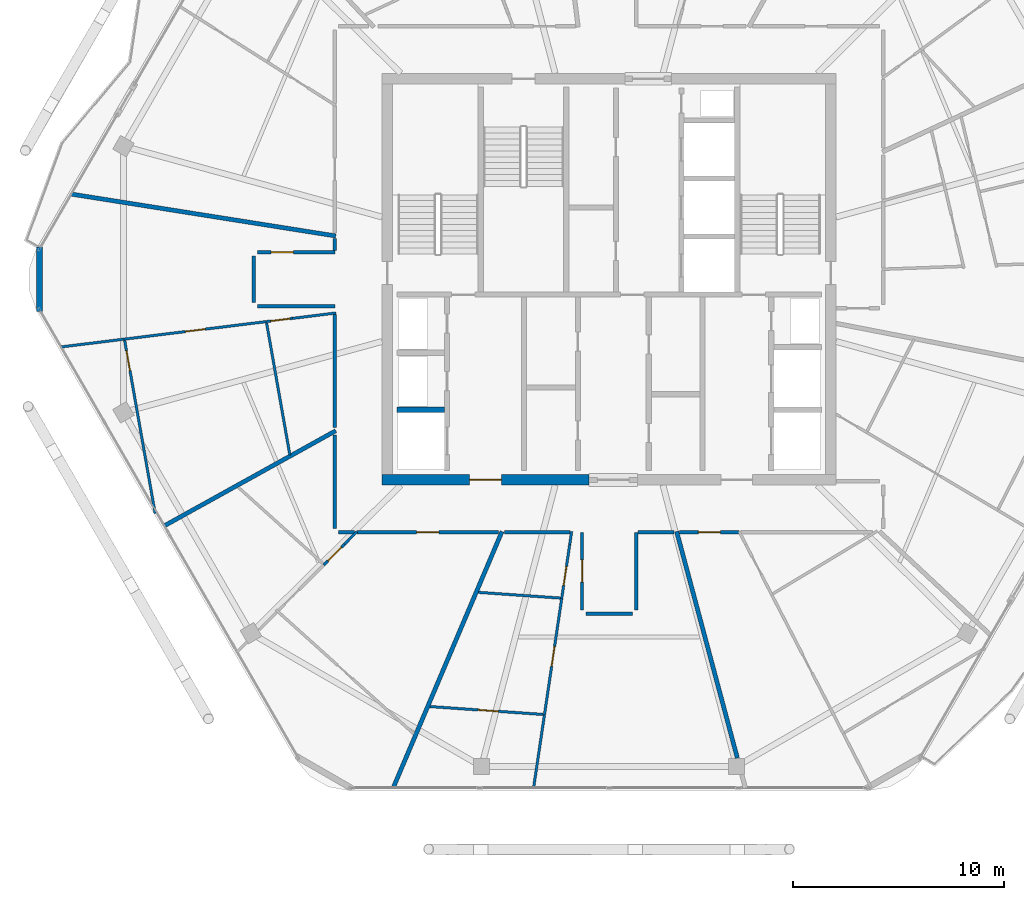
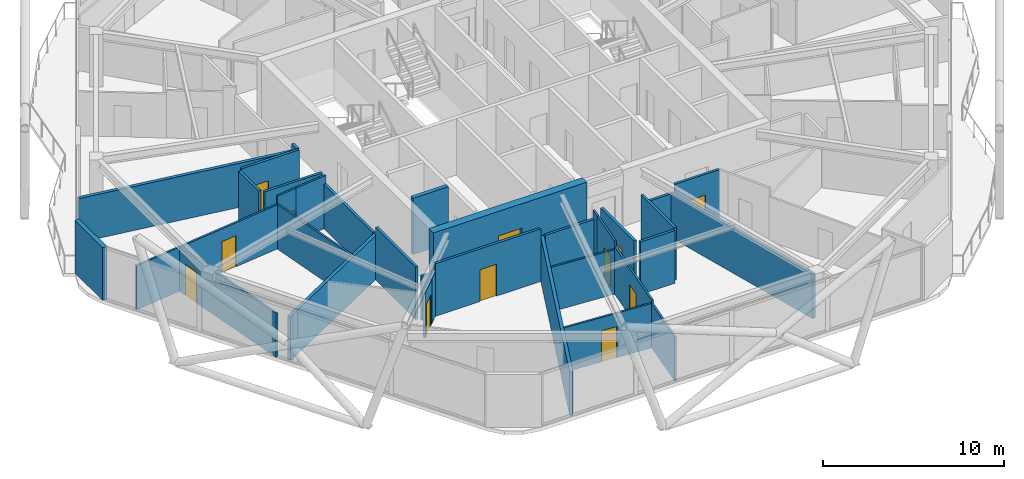
# One storey, part 17 of 24: 35 walls, 12 doors, 12 openings.
"""IFC4 building model written with IfcOpenShell, lengths in metres."""

from ifc_helpers import new_model, si_unit, direction, frame, frame_2d, origin, place, context, subcontext, project, spatial, rectangle, extrude, material, layer, layer_set, type_object, element, fill, save


model = new_model("IFC4")

# Units and contexts
model_context = context("Model", 3, precision=1e-05, world=origin(), true_north=direction((0.0, 1.0)))
body_context = subcontext(model_context, "Body", "Model", "MODEL_VIEW")
ifc_project = project(units=[si_unit("LENGTHUNIT", "METRE"), si_unit("AREAUNIT", "SQUARE_METRE"), si_unit("VOLUMEUNIT", "CUBIC_METRE"), si_unit("PLANEANGLEUNIT", "RADIAN"), si_unit("MASSUNIT", "GRAM", prefix="KILO")], contexts=[model_context])

# Site, building, storey
site_placement = place(None, origin())
site = spatial("IfcSite", under=ifc_project, at=site_placement, CompositionType="ELEMENT")
building_placement = place(site_placement, origin())
building = spatial("IfcBuilding", under=site, at=building_placement, Name="Zuhravey Tower", CompositionType="ELEMENT")
storey_placement = place(building_placement, frame((0.0, 0.0, 338.60009765625)))
storey = spatial("IfcBuildingStorey", under=building, at=storey_placement, Name="L86", CompositionType="ELEMENT", Elevation=338.60009765625)

# Wall, opening, door
ifc_material_1 = material(Name="Concrete C50/60", Category="concrete")
ifc_layer_1 = layer(ifc_material_1, 0.5)
ifc_layer_set_1 = layer_set([ifc_layer_1], Name="Concrete C50/60")
wall_type_1 = type_object("IfcWallType", Name="Core Shear Wall 500", PredefinedType="SHEAR", material=ifc_layer_set_1)
wall_1_placement = place(storey_placement, frame((25.25, 22.5, 0.0), z_axis=(0.0, 0.0, 1.0), x_axis=(1.0, 0.0, 0.0)))
wall_1 = element("IfcWall", 1, at=wall_1_placement, inside=storey, type_object=wall_type_1, Name="L86 South-West Core Shear Wall CW50", PredefinedType="SHEAR", context=body_context, shape_type="SweptSolid", body=[
    extrude(rectangle(XDim=9.800048828125, YDim=0.5, at=frame_2d((4.89990234375, 0.0))), origin(), (0.0, 0.0, 1.0), 3.7998046875),
])
opening_1_placement = place(wall_1_placement, frame((4.14990234375, 0.0, 0.0)))
opening_1 = element("IfcOpeningElement", 2, at=opening_1_placement, cuts=wall_1, Name="Opening FFD1", PredefinedType="OPENING", context=body_context, shape_type="SweptSolid", body=[
    extrude(rectangle(XDim=1.5, YDim=2.14990234375, at=frame_2d((0.75, 1.074951171875))), frame((0.0, 0.261962890625, 0.0), z_axis=(0.0, -1.0, 0.0), x_axis=(1.0, 0.0, 0.0)), (0.0, 0.0, 1.0), 0.52392578125),
])
ifc_material_2 = material(Name="Galvanised fire-rated steel leaf", Category="steel")
door_type_1 = type_object("IfcDoorType", Name="Firefighting Lobby Double Door 1500x2150", OperationType="DOUBLE_DOOR_SINGLE_SWING", PredefinedType="DOOR", material=ifc_material_2)
door_1_placement = place(opening_1_placement, origin())
door_1 = element("IfcDoor", 3, at=door_1_placement, inside=storey, type_object=door_type_1, Name="L86 Firefighting Lobby West Door", OperationType="DOUBLE_DOOR_SINGLE_SWING", OverallHeight=2.14990234375, OverallWidth=1.5, PredefinedType="DOOR", context=body_context, shape_type="SweptSolid", body=[
    extrude(rectangle(XDim=1.5, YDim=2.14990234375, at=frame_2d((0.75, 1.074951171875))), frame((0.0, 0.02490234375, 0.0), z_axis=(0.0, -1.0, 0.0), x_axis=(1.0, 0.0, 0.0)), (0.0, 0.0, 1.0), 0.050048828125),
])
fill(opening_1, door_1)

ifc_material_3 = material(Name="Gypsum fire-rated stud partition")
ifc_layer_2 = layer(ifc_material_3, 0.159912109375)
ifc_layer_set_2 = layer_set([ifc_layer_2], Name="Gypsum fire-rated stud partition")
wall_type_2 = type_object("IfcWallType", Name="Corridor Fire Partition 160", PredefinedType="PARTITIONING", material=ifc_layer_set_2)
wall_2_placement = place(storey_placement, frame((23.02001953125, 33.280029296875, 0.0), z_axis=(0.0, 0.0, 1.0), x_axis=(-1.0, 0.0, 0.0)))
wall_2 = element("IfcWall", 4, at=wall_2_placement, inside=storey, type_object=wall_type_2, Name="L86 IW16 Partition 027", PredefinedType="PARTITIONING", context=body_context, shape_type="SweptSolid", body=[
    extrude(rectangle(XDim=3.669921875, YDim=0.159912109375, at=frame_2d((1.8349609375, 0.0))), origin(), (0.0, 0.0, 1.0), 3.5498046875),
])
opening_2_placement = place(wall_2_placement, frame((1.969970703125, 0.0, 0.0)))
opening_2 = element("IfcOpeningElement", 5, at=opening_2_placement, cuts=wall_2, Name="Opening APD1", PredefinedType="OPENING", context=body_context, shape_type="SweptSolid", body=[
    extrude(rectangle(XDim=1.050048828125, YDim=2.14990234375, at=frame_2d((0.52490234375, 1.074951171875))), frame((0.0, 0.092041015625, 0.0), z_axis=(0.0, -1.0, 0.0), x_axis=(1.0, 0.0, 0.0)), (0.0, 0.0, 1.0), 0.183837890625),
])
ifc_material_4 = material(Name="Solid-core oak fire-rated leaf")
door_type_2 = type_object("IfcDoorType", Name="Apartment Entrance Fire Door 1050x2150", OperationType="NOTDEFINED", PredefinedType="DOOR", material=ifc_material_4)
door_2_placement = place(opening_2_placement, origin())
door_2 = element("IfcDoor", 6, at=door_2_placement, inside=storey, type_object=door_type_2, Name="L86 Door 027.1", OperationType="SINGLE_SWING_LEFT", OverallHeight=2.14990234375, OverallWidth=1.050048828125, PredefinedType="DOOR", context=body_context, shape_type="SweptSolid", body=[
    extrude(rectangle(XDim=1.050048828125, YDim=2.14990234375, at=frame_2d((0.52490234375, 1.074951171875))), frame((0.0, 0.02490234375, 0.0), z_axis=(0.0, -1.0, 0.0), x_axis=(1.0, 0.0, 0.0)), (0.0, 0.0, 1.0), 0.050048828125),
])
fill(opening_2, door_2)

wall_3_placement = place(storey_placement, frame((24.06494140625, 20.02001953125, 0.0), z_axis=(0.0, 0.0, 1.0), x_axis=(1.0, 0.0, 0.0)))
wall_3 = element("IfcWall", 7, at=wall_3_placement, inside=storey, type_object=wall_type_2, Name="L86 IW16 Partition 032", PredefinedType="PARTITIONING", context=body_context, shape_type="SweptSolid", body=[
    extrude(rectangle(XDim=6.7041015625, YDim=0.159912109375, at=frame_2d((3.35205078125, 0.0))), origin(), (0.0, 0.0, 1.0), 3.5498046875),
])
opening_3_placement = place(wall_3_placement, frame((2.8271484375, 0.0, 0.0)))
opening_3 = element("IfcOpeningElement", 8, at=opening_3_placement, cuts=wall_3, Name="Opening APD1", PredefinedType="OPENING", context=body_context, shape_type="SweptSolid", body=[
    extrude(rectangle(XDim=1.050048828125, YDim=2.14990234375, at=frame_2d((0.52490234375, 1.074951171875))), frame((0.0, 0.092041015625, 0.0), z_axis=(0.0, -1.0, 0.0), x_axis=(1.0, 0.0, 0.0)), (0.0, 0.0, 1.0), 0.183837890625),
])
door_3_placement = place(opening_3_placement, frame((1.050048828125, 0.0, 0.0), z_axis=(0.0, 0.0, 1.0), x_axis=(-1.0, 0.0, 0.0)))
door_3 = element("IfcDoor", 9, at=door_3_placement, inside=storey, type_object=door_type_2, Name="L86 Door 032.1", OperationType="SINGLE_SWING_LEFT", OverallHeight=2.14990234375, OverallWidth=1.050048828125, PredefinedType="DOOR", context=body_context, shape_type="SweptSolid", body=[
    extrude(rectangle(XDim=1.050048828125, YDim=2.14990234375, at=frame_2d((0.52490234375, 1.074951171875))), frame((0.0, 0.02490234375, 0.0), z_axis=(0.0, -1.0, 0.0), x_axis=(1.0, 0.0, 0.0)), (0.0, 0.0, 1.0), 0.050048828125),
])
fill(opening_3, door_3)

wall_4_placement = place(storey_placement, frame((34.719970703125, 20.02001953125, 0.0), z_axis=(0.0, 0.0, 1.0), x_axis=(0.0, -1.0, 0.0)))
wall_4 = element("IfcWall", 10, at=wall_4_placement, inside=storey, type_object=wall_type_2, Name="L86 IW16 Partition 036", PredefinedType="PARTITIONING", context=body_context, shape_type="SweptSolid", body=[
    extrude(rectangle(XDim=3.669921875, YDim=0.159912109375, at=frame_2d((1.8349609375, 0.0))), origin(), (0.0, 0.0, 1.0), 3.5498046875),
])
opening_4_placement = place(wall_4_placement, frame((1.31005859375, 0.0, 0.0)))
opening_4 = element("IfcOpeningElement", 11, at=opening_4_placement, cuts=wall_4, Name="Opening APD1", PredefinedType="OPENING", context=body_context, shape_type="SweptSolid", body=[
    extrude(rectangle(XDim=1.050048828125, YDim=2.14990234375, at=frame_2d((0.52490234375, 1.074951171875))), frame((0.0, 0.092041015625, 0.0), z_axis=(0.0, -1.0, 0.0), x_axis=(1.0, 0.0, 0.0)), (0.0, 0.0, 1.0), 0.183837890625),
])
door_4_placement = place(opening_4_placement, origin())
door_4 = element("IfcDoor", 12, at=door_4_placement, inside=storey, type_object=door_type_2, Name="L86 Door 036.1", OperationType="SINGLE_SWING_LEFT", OverallHeight=2.14990234375, OverallWidth=1.050048828125, PredefinedType="DOOR", context=body_context, shape_type="SweptSolid", body=[
    extrude(rectangle(XDim=1.050048828125, YDim=2.14990234375, at=frame_2d((0.52490234375, 1.074951171875))), frame((0.0, 0.02490234375, 0.0), z_axis=(0.0, -1.0, 0.0), x_axis=(1.0, 0.0, 0.0)), (0.0, 0.0, 1.0), 0.050048828125),
])
fill(opening_4, door_4)

wall_5_placement = place(storey_placement, frame((39.343017578125, 20.02001953125, 0.0), z_axis=(0.0, 0.0, 1.0), x_axis=(1.0, 0.0, 0.0)))
wall_5 = element("IfcWall", 13, at=wall_5_placement, inside=storey, type_object=wall_type_2, Name="L86 IW16 Partition 040", PredefinedType="PARTITIONING", context=body_context, shape_type="SweptSolid", body=[
    extrude(rectangle(XDim=2.8125, YDim=0.159912109375, at=frame_2d((1.40625, 0.0))), origin(), (0.0, 0.0, 1.0), 3.5498046875),
])
opening_5_placement = place(wall_5_placement, frame((0.881103515625, 0.0, 0.0)))
opening_5 = element("IfcOpeningElement", 14, at=opening_5_placement, cuts=wall_5, Name="Opening APD1", PredefinedType="OPENING", context=body_context, shape_type="SweptSolid", body=[
    extrude(rectangle(XDim=1.050048828125, YDim=2.14990234375, at=frame_2d((0.52490234375, 1.074951171875))), frame((0.0, 0.092041015625, 0.0), z_axis=(0.0, -1.0, 0.0), x_axis=(1.0, 0.0, 0.0)), (0.0, 0.0, 1.0), 0.183837890625),
])
door_5_placement = place(opening_5_placement, frame((1.050048828125, 0.0, 0.0), z_axis=(0.0, 0.0, 1.0), x_axis=(-1.0, 0.0, 0.0)))
door_5 = element("IfcDoor", 15, at=door_5_placement, inside=storey, type_object=door_type_2, Name="L86 Door 040.1", OperationType="SINGLE_SWING_LEFT", OverallHeight=2.14990234375, OverallWidth=1.050048828125, PredefinedType="DOOR", context=body_context, shape_type="SweptSolid", body=[
    extrude(rectangle(XDim=1.050048828125, YDim=2.14990234375, at=frame_2d((0.52490234375, 1.074951171875))), frame((0.0, 0.02490234375, 0.0), z_axis=(0.0, -1.0, 0.0), x_axis=(1.0, 0.0, 0.0)), (0.0, 0.0, 1.0), 0.050048828125),
])
fill(opening_5, door_5)

# Walls
wall_6_placement = place(storey_placement, frame((19.35009765625, 30.719970703125, 0.0), z_axis=(0.0, 0.0, 1.0), x_axis=(1.0, 0.0, 0.0)))
element("IfcWall", 16, at=wall_6_placement, inside=storey, type_object=wall_type_2, Name="L86 IW16 Partition 106", PredefinedType="PARTITIONING", context=body_context, shape_type="SweptSolid", body=[
    extrude(rectangle(XDim=3.669921875, YDim=0.159912109375, at=frame_2d((1.8349609375, 0.0))), origin(), (0.0, 0.0, 1.0), 3.5498046875),
])
wall_7_placement = place(storey_placement, frame((19.169921875, 33.10009765625, 0.0), z_axis=(0.0, 0.0, 1.0), x_axis=(0.0, -1.0, 0.0)))
element("IfcWall", 17, at=wall_7_placement, inside=storey, type_object=wall_type_2, Name="L86 IW16 Partition 107", PredefinedType="PARTITIONING", context=body_context, shape_type="SweptSolid", body=[
    extrude(rectangle(XDim=2.2001953125, YDim=0.159912109375, at=frame_2d((1.10009765625, 0.0))), origin(), (0.0, 0.0, 1.0), 3.5498046875),
])
wall_8_placement = place(storey_placement, frame((23.02001953125, 33.919677734375, 0.0), z_axis=(0.0, 0.0, 1.0), x_axis=(0.0, -1.0, 0.0)))
element("IfcWall", 18, at=wall_8_placement, inside=storey, type_object=wall_type_2, Name="L86 IW16 Partition 108", PredefinedType="PARTITIONING", context=body_context, shape_type="SweptSolid", body=[
    extrude(rectangle(XDim=0.5517578125, YDim=0.159912109375, at=frame_2d((0.27587890625, 0.0))), origin(), (0.0, 0.0, 1.0), 3.5498046875),
])
wall_9_placement = place(storey_placement, frame((23.02001953125, 30.32861328125, 0.0), z_axis=(0.0, 0.0, 1.0), x_axis=(0.0, -1.0, 0.0)))
element("IfcWall", 19, at=wall_9_placement, inside=storey, type_object=wall_type_2, Name="L86 IW16 Partition 109", PredefinedType="PARTITIONING", context=body_context, shape_type="SweptSolid", body=[
    extrude(rectangle(XDim=5.353515625, YDim=0.159912109375, at=frame_2d((2.6767578125, 0.0))), origin(), (0.0, 0.0, 1.0), 3.0),
])
wall_10_placement = place(storey_placement, frame((23.02001953125, 24.63330078125, 0.0), z_axis=(0.0, 0.0, 1.0), x_axis=(0.0, -1.0, 0.0)))
element("IfcWall", 20, at=wall_10_placement, inside=storey, type_object=wall_type_2, Name="L86 IW16 Partition 110", PredefinedType="PARTITIONING", context=body_context, shape_type="SweptSolid", body=[
    extrude(rectangle(XDim=4.433349609375, YDim=0.159912109375, at=frame_2d((2.216796875, 0.0))), origin(), (0.0, 0.0, 1.0), 3.5498046875),
])
wall_11_placement = place(storey_placement, frame((23.199951171875, 20.02001953125, 0.0), z_axis=(0.0, 0.0, 1.0), x_axis=(1.0, 0.0, 0.0)))
element("IfcWall", 21, at=wall_11_placement, inside=storey, type_object=wall_type_2, Name="L86 IW16 Partition 111", PredefinedType="PARTITIONING", context=body_context, shape_type="SweptSolid", body=[
    extrude(rectangle(XDim=0.740478515625, YDim=0.159912109375, at=frame_2d((0.3701171875, 0.0))), origin(), (0.0, 0.0, 1.0), 3.0),
])
wall_12_placement = place(storey_placement, frame((37.280029296875, 16.35009765625, 0.0), z_axis=(0.0, 0.0, 1.0), x_axis=(0.0, 1.0, 0.0)))
element("IfcWall", 22, at=wall_12_placement, inside=storey, type_object=wall_type_2, Name="L86 IW16 Partition 112", PredefinedType="PARTITIONING", context=body_context, shape_type="SweptSolid", body=[
    extrude(rectangle(XDim=3.669921875, YDim=0.159912109375, at=frame_2d((1.8349609375, 0.0))), origin(), (0.0, 0.0, 1.0), 3.5498046875),
])
wall_13_placement = place(storey_placement, frame((34.89990234375, 16.169921875, 0.0), z_axis=(0.0, 0.0, 1.0), x_axis=(1.0, 0.0, 0.0)))
element("IfcWall", 23, at=wall_13_placement, inside=storey, type_object=wall_type_2, Name="L86 IW16 Partition 113", PredefinedType="PARTITIONING", context=body_context, shape_type="SweptSolid", body=[
    extrude(rectangle(XDim=2.2001953125, YDim=0.159912109375, at=frame_2d((1.10009765625, 0.0))), origin(), (0.0, 0.0, 1.0), 3.5498046875),
])
wall_14_placement = place(storey_placement, frame((37.367919921875, 20.02001953125, 0.0), z_axis=(0.0, 0.0, 1.0), x_axis=(1.0, 0.0, 0.0)))
element("IfcWall", 24, at=wall_14_placement, inside=storey, type_object=wall_type_2, Name="L86 IW16 Partition 114", PredefinedType="PARTITIONING", context=body_context, shape_type="SweptSolid", body=[
    extrude(rectangle(XDim=1.709716796875, YDim=0.159912109375, at=frame_2d((0.85498046875, 0.0))), origin(), (0.0, 0.0, 1.0), 3.0),
])
wall_15_placement = place(storey_placement, frame((31.059326171875, 20.02001953125, 0.0), z_axis=(0.0, 0.0, 1.0), x_axis=(1.0, 0.0, 0.0)))
element("IfcWall", 25, at=wall_15_placement, inside=storey, type_object=wall_type_2, Name="L86 IW16 Partition 115", PredefinedType="PARTITIONING", context=body_context, shape_type="SweptSolid", body=[
    extrude(rectangle(XDim=3.09423828125, YDim=0.159912109375, at=frame_2d((1.547119140625, 0.0))), origin(), (0.0, 0.0, 1.0), 3.0),
])
ifc_material_5 = material(Name="Precast concrete C40/50", Category="concrete")
ifc_layer_3 = layer(ifc_material_5, 0.280029296875)
ifc_layer_set_3 = layer_set([ifc_layer_3], Name="Precast concrete C40/50")
wall_type_3 = type_object("IfcWallType", Name="Crown Architectural Wall 280", PredefinedType="SOLIDWALL", material=ifc_layer_set_3)
wall_16_placement = place(storey_placement, frame((9.031494140625, 30.467529296875, 0.0), z_axis=(0.0, 0.0, 1.0), x_axis=(0.0, 1.0, 0.0)))
element("IfcWall", 26, at=wall_16_placement, inside=storey, type_object=wall_type_3, Name="L86 Rounded Corner Closure Wall EW28-06", PredefinedType="SOLIDWALL", context=body_context, shape_type="SweptSolid", body=[
    extrude(rectangle(XDim=3.06494140625, YDim=0.280029296875, at=frame_2d((1.532470703125, 0.0))), origin(), (0.0, 0.0, 1.0), 3.5498046875),
])
ifc_layer_4 = layer(ifc_material_1, 0.25)
ifc_layer_set_4 = layer_set([ifc_layer_4], Name="Concrete C50/60")
wall_type_4 = type_object("IfcWallType", Name="Firefighting Shaft & Stair Wall 250", PredefinedType="SOLIDWALL", material=ifc_layer_set_4)
wall_17_placement = place(storey_placement, frame((25.949951171875, 25.824951171875, 0.0), z_axis=(0.0, 0.0, 1.0), x_axis=(1.0, 0.0, 0.0)))
element("IfcWall", 27, at=wall_17_placement, inside=storey, type_object=wall_type_4, Name="L86 FW25 Shaft Wall 009", PredefinedType="SOLIDWALL", context=body_context, shape_type="SweptSolid", body=[
    extrude(rectangle(XDim=2.25, YDim=0.25, at=frame_2d((1.125, 0.0))), origin(), (0.0, 0.0, 1.0), 3.7998046875),
])
ifc_material_6 = material(Name="Gypsum double-stud party assembly")
ifc_layer_5 = layer(ifc_material_6, 0.199951171875)
ifc_layer_set_5 = layer_set([ifc_layer_5], Name="Gypsum double-stud party assembly")
wall_type_5 = type_object("IfcWallType", Name="Inter-Tenancy Party Wall 200", PredefinedType="PARTITIONING", material=ifc_layer_set_5)
wall_18_placement = place(storey_placement, frame((23.06005859375, 34.049560546875, 0.0), z_axis=(0.0, 0.0, 1.0), x_axis=(-0.987689201377, 0.156429030179, 0.0)))
element("IfcWall", 28, at=wall_18_placement, inside=storey, type_object=wall_type_5, Name="L86 IW20 Partition 066", PredefinedType="PARTITIONING", context=body_context, shape_type="SweptSolid", body=[
    extrude(rectangle(XDim=12.685546875, YDim=0.199951171875, at=frame_2d((6.3427734375, 0.0))), origin(), (0.0, 0.0, 1.0), 2.969970703125),
])
wall_19_placement = place(storey_placement, frame((23.06005859375, 24.8271484375, 0.0), z_axis=(0.0, 0.0, 1.0), x_axis=(-0.874625812901, -0.484798604998, 0.0)))
element("IfcWall", 29, at=wall_19_placement, inside=storey, type_object=wall_type_5, Name="L86 IW20 Partition 070", PredefinedType="PARTITIONING", context=body_context, shape_type="SweptSolid", body=[
    extrude(rectangle(XDim=9.28271484375, YDim=0.199951171875, at=frame_2d((4.641357421875, 0.0))), origin(), (0.0, 0.0, 1.0), 2.969970703125),
])
wall_20_placement = place(storey_placement, frame((30.931884765625, 20.06005859375, 0.0), z_axis=(0.0, 0.0, 1.0), x_axis=(-0.390727247375, -0.920506500878, 0.0)))
element("IfcWall", 30, at=wall_20_placement, inside=storey, type_object=wall_type_5, Name="L86 IW20 Partition 074", PredefinedType="PARTITIONING", context=body_context, shape_type="SweptSolid", body=[
    extrude(rectangle(XDim=13.18212890625, YDim=0.199951171875, at=frame_2d((6.591064453125, 0.0))), origin(), (0.0, 0.0, 1.0), 2.969970703125),
])
wall_21_placement = place(storey_placement, frame((39.19921875, 20.06005859375, 0.0), z_axis=(0.0, 0.0, 1.0), x_axis=(0.258828003351, -0.965923425889, 0.0)))
element("IfcWall", 31, at=wall_21_placement, inside=storey, type_object=wall_type_5, Name="L86 IW20 Partition 078", PredefinedType="PARTITIONING", context=body_context, shape_type="SweptSolid", body=[
    extrude(rectangle(XDim=11.107666015625, YDim=0.199951171875, at=frame_2d((5.5537109375, 0.0))), origin(), (0.0, 0.0, 1.0), 3.0),
])

# Wall, opening, door
ifc_material_7 = material(Name="Gypsum metal-stud partition")
ifc_layer_6 = layer(ifc_material_7, 0.1201171875)
ifc_layer_set_6 = layer_set([ifc_layer_6], Name="Gypsum metal-stud partition")
wall_type_6 = type_object("IfcWallType", Name="Unit Internal Partition 120", PredefinedType="PARTITIONING", material=ifc_layer_set_6)
wall_22_placement = place(storey_placement, frame((21.01953125, 30.14990234375, 0.0), z_axis=(0.0, 0.0, 1.0), x_axis=(-0.992470094152, -0.122487192042, 0.0)))
wall_22 = element("IfcWall", 32, at=wall_22_placement, inside=storey, type_object=wall_type_6, Name="L86 IW12 Partition 024", PredefinedType="PARTITIONING", context=body_context, shape_type="SweptSolid", body=[
    extrude(rectangle(XDim=1.28173828125, YDim=0.1201171875, at=frame_2d((0.640869140625, 0.0))), origin(), (0.0, 0.0, 1.0), 3.5498046875),
])
opening_6_placement = place(wall_22_placement, frame((0.139892578125, 0.0, 0.0)))
opening_6 = element("IfcOpeningElement", 33, at=opening_6_placement, cuts=wall_22, Name="Opening WCD1", PredefinedType="OPENING", context=body_context, shape_type="SweptSolid", body=[
    extrude(rectangle(XDim=0.89990234375, YDim=2.10009765625, at=frame_2d((0.449951171875, 1.050048828125))), frame((0.0, 0.072021484375, 0.0), z_axis=(0.0, -1.0, 0.0), x_axis=(1.0, 0.0, 0.0)), (0.0, 0.0, 1.0), 0.14404296875),
])
ifc_material_8 = material(Name="Moisture-resistant timber leaf", Category="wood")
door_type_3 = type_object("IfcDoorType", Name="Bathroom & WC Internal Door 900x2100", OperationType="NOTDEFINED", PredefinedType="DOOR", material=ifc_material_8)
door_6_placement = place(opening_6_placement, origin())
door_6 = element("IfcDoor", 34, at=door_6_placement, inside=storey, type_object=door_type_3, Name="Apartment L86-02 Bathroom Door", OperationType="SINGLE_SWING_RIGHT", OverallHeight=2.10009765625, OverallWidth=0.89990234375, PredefinedType="DOOR", context=body_context, shape_type="SweptSolid", body=[
    extrude(rectangle(XDim=0.89990234375, YDim=2.10009765625, at=frame_2d((0.449951171875, 1.050048828125))), frame((0.0, 0.02490234375, 0.0), z_axis=(0.0, -1.0, 0.0), x_axis=(1.0, 0.0, 0.0)), (0.0, 0.0, 1.0), 0.050048828125),
])
fill(opening_6, door_6)

wall_23_placement = place(storey_placement, frame((19.74755859375, 29.992919921875, 0.0), z_axis=(0.0, 0.0, 1.0), x_axis=(-0.992461497714, -0.122556825821, 0.0)))
wall_23 = element("IfcWall", 35, at=wall_23_placement, inside=storey, type_object=wall_type_6, Name="L86 IW12 Partition 025", PredefinedType="PARTITIONING", context=body_context, shape_type="SweptSolid", body=[
    extrude(rectangle(XDim=6.77099609375, YDim=0.1201171875, at=frame_2d((3.385498046875, 0.0))), origin(), (0.0, 0.0, 1.0), 2.969970703125),
])
opening_7_placement = place(wall_23_placement, frame((2.885498046875, 0.0, 0.0)))
opening_7 = element("IfcOpeningElement", 36, at=opening_7_placement, cuts=wall_23, Name="Opening IND1", PredefinedType="OPENING", context=body_context, shape_type="SweptSolid", body=[
    extrude(rectangle(XDim=0.949951171875, YDim=2.10009765625, at=frame_2d((0.47509765625, 1.050048828125))), frame((0.0, 0.072021484375, 0.0), z_axis=(0.0, -1.0, 0.0), x_axis=(1.0, 0.0, 0.0)), (0.0, 0.0, 1.0), 0.14404296875),
])
ifc_material_9 = material(Name="Painted engineered timber leaf", Category="wood")
door_type_4 = type_object("IfcDoorType", Name="Internal Room & Bedroom Door 950x2100", OperationType="NOTDEFINED", PredefinedType="DOOR", material=ifc_material_9)
door_7_placement = place(opening_7_placement, origin())
door_7 = element("IfcDoor", 37, at=door_7_placement, inside=storey, type_object=door_type_4, Name="Apartment L86-02 Home Office Door", OperationType="SINGLE_SWING_LEFT", OverallHeight=2.10009765625, OverallWidth=0.949951171875, PredefinedType="DOOR", context=body_context, shape_type="SweptSolid", body=[
    extrude(rectangle(XDim=0.949951171875, YDim=2.10009765625, at=frame_2d((0.47509765625, 1.050048828125))), frame((0.0, 0.02490234375, 0.0), z_axis=(0.0, -1.0, 0.0), x_axis=(1.0, 0.0, 0.0)), (0.0, 0.0, 1.0), 0.050048828125),
])
fill(opening_7, door_7)

wall_24_placement = place(storey_placement, frame((13.064208984375, 29.09912109375, 0.0), z_axis=(0.0, 0.0, 1.0), x_axis=(0.173662921091, -0.984805153235, 0.0)))
wall_24 = element("IfcWall", 38, at=wall_24_placement, inside=storey, type_object=wall_type_6, Name="L86 IW12 Partition 026", PredefinedType="PARTITIONING", context=body_context, shape_type="SweptSolid", body=[
    extrude(rectangle(XDim=8.3056640625, YDim=0.1201171875, at=frame_2d((4.15283203125, 0.0))), origin(), (0.0, 0.0, 1.0), 2.969970703125),
])
opening_8_placement = place(wall_24_placement, frame((0.497314453125, 0.0, 0.0)))
opening_8 = element("IfcOpeningElement", 39, at=opening_8_placement, cuts=wall_24, Name="Opening IND1", PredefinedType="OPENING", context=body_context, shape_type="SweptSolid", body=[
    extrude(rectangle(XDim=0.949951171875, YDim=2.10009765625, at=frame_2d((0.47509765625, 1.050048828125))), frame((0.0, 0.072021484375, 0.0), z_axis=(0.0, -1.0, 0.0), x_axis=(1.0, 0.0, 0.0)), (0.0, 0.0, 1.0), 0.14404296875),
])
door_8_placement = place(opening_8_placement, frame((0.949951171875, 0.0, 0.0), z_axis=(0.0, 0.0, 1.0), x_axis=(-1.0, 0.0, 0.0)))
door_8 = element("IfcDoor", 40, at=door_8_placement, inside=storey, type_object=door_type_4, Name="Apartment L86-02 Bedroom 1 Door", OperationType="SINGLE_SWING_RIGHT", OverallHeight=2.10009765625, OverallWidth=0.949951171875, PredefinedType="DOOR", context=body_context, shape_type="SweptSolid", body=[
    extrude(rectangle(XDim=0.949951171875, YDim=2.10009765625, at=frame_2d((0.47509765625, 1.050048828125))), frame((0.0, 0.02490234375, 0.0), z_axis=(0.0, -1.0, 0.0), x_axis=(1.0, 0.0, 0.0)), (0.0, 0.0, 1.0), 0.050048828125),
])
fill(opening_8, door_8)

wall_25_placement = place(storey_placement, frame((23.46728515625, 19.449951171875, 0.0), z_axis=(0.0, 0.0, 1.0), x_axis=(-0.706576517607, -0.707636647416, 0.0)))
wall_25 = element("IfcWall", 41, at=wall_25_placement, inside=storey, type_object=wall_type_6, Name="L86 IW12 Partition 029", PredefinedType="PARTITIONING", context=body_context, shape_type="SweptSolid", body=[
    extrude(rectangle(XDim=1.3818359375, YDim=0.1201171875, at=frame_2d((0.69091796875, 0.0))), origin(), (0.0, 0.0, 1.0), 3.0),
])
opening_9_placement = place(wall_25_placement, frame((0.199951171875, 0.0, 0.0)))
opening_9 = element("IfcOpeningElement", 42, at=opening_9_placement, cuts=wall_25, Name="Opening WCD1", PredefinedType="OPENING", context=body_context, shape_type="SweptSolid", body=[
    extrude(rectangle(XDim=0.89990234375, YDim=2.10009765625, at=frame_2d((0.449951171875, 1.050048828125))), frame((0.0, 0.072021484375, 0.0), z_axis=(0.0, -1.0, 0.0), x_axis=(1.0, 0.0, 0.0)), (0.0, 0.0, 1.0), 0.14404296875),
])
door_9_placement = place(opening_9_placement, frame((0.89990234375, 0.0, 0.0), z_axis=(0.0, 0.0, 1.0), x_axis=(-1.0, 0.0, 0.0)))
door_9 = element("IfcDoor", 43, at=door_9_placement, inside=storey, type_object=door_type_3, Name="Apartment L86-03 Bathroom Door", OperationType="SINGLE_SWING_LEFT", OverallHeight=2.10009765625, OverallWidth=0.89990234375, PredefinedType="DOOR", context=body_context, shape_type="SweptSolid", body=[
    extrude(rectangle(XDim=0.89990234375, YDim=2.10009765625, at=frame_2d((0.449951171875, 1.050048828125))), frame((0.0, 0.02490234375, 0.0), z_axis=(0.0, -1.0, 0.0), x_axis=(1.0, 0.0, 0.0)), (0.0, 0.0, 1.0), 0.050048828125),
])
fill(opening_9, door_9)

wall_26_placement = place(storey_placement, frame((34.1376953125, 19.449951171875, 0.0), z_axis=(0.0, 0.0, 1.0), x_axis=(-0.146698230723, -0.989181292334, 0.0)))
wall_26 = element("IfcWall", 44, at=wall_26_placement, inside=storey, type_object=wall_type_6, Name="L86 IW12 Partition 033", PredefinedType="PARTITIONING", context=body_context, shape_type="SweptSolid", body=[
    extrude(rectangle(XDim=2.602783203125, YDim=0.1201171875, at=frame_2d((1.30126953125, 0.0))), origin(), (0.0, 0.0, 1.0), 3.5498046875),
])
opening_10_placement = place(wall_26_placement, frame((1.059814453125, 0.0, 0.0)))
opening_10 = element("IfcOpeningElement", 45, at=opening_10_placement, cuts=wall_26, Name="Opening WCD1", PredefinedType="OPENING", context=body_context, shape_type="SweptSolid", body=[
    extrude(rectangle(XDim=0.89990234375, YDim=2.10009765625, at=frame_2d((0.449951171875, 1.050048828125))), frame((0.0, 0.072021484375, 0.0), z_axis=(0.0, -1.0, 0.0), x_axis=(1.0, 0.0, 0.0)), (0.0, 0.0, 1.0), 0.14404296875),
])
door_10_placement = place(opening_10_placement, frame((0.89990234375, 0.0, 0.0), z_axis=(0.0, 0.0, 1.0), x_axis=(-1.0, 0.0, 0.0)))
door_10 = element("IfcDoor", 46, at=door_10_placement, inside=storey, type_object=door_type_3, Name="Apartment L86-04 Bathroom Door", OperationType="SINGLE_SWING_RIGHT", OverallHeight=2.10009765625, OverallWidth=0.89990234375, PredefinedType="DOOR", context=body_context, shape_type="SweptSolid", body=[
    extrude(rectangle(XDim=0.89990234375, YDim=2.10009765625, at=frame_2d((0.449951171875, 1.050048828125))), frame((0.0, 0.02490234375, 0.0), z_axis=(0.0, -1.0, 0.0), x_axis=(1.0, 0.0, 0.0)), (0.0, 0.0, 1.0), 0.050048828125),
])
fill(opening_10, door_10)

wall_27_placement = place(storey_placement, frame((33.755859375, 16.875244140625, 0.0), z_axis=(0.0, 0.0, 1.0), x_axis=(-0.146775791573, -0.989169786744, 0.0)))
wall_27 = element("IfcWall", 47, at=wall_27_placement, inside=storey, type_object=wall_type_6, Name="L86 IW12 Partition 034", PredefinedType="PARTITIONING", context=body_context, shape_type="SweptSolid", body=[
    extrude(rectangle(XDim=5.570556640625, YDim=0.1201171875, at=frame_2d((2.78515625, 0.0))), origin(), (0.0, 0.0, 1.0), 3.199951171875),
])
opening_11_placement = place(wall_27_placement, frame((2.285400390625, 0.0, 0.0)))
opening_11 = element("IfcOpeningElement", 48, at=opening_11_placement, cuts=wall_27, Name="Opening IND1", PredefinedType="OPENING", context=body_context, shape_type="SweptSolid", body=[
    extrude(rectangle(XDim=0.949951171875, YDim=2.10009765625, at=frame_2d((0.47509765625, 1.050048828125))), frame((0.0, 0.072021484375, 0.0), z_axis=(0.0, -1.0, 0.0), x_axis=(1.0, 0.0, 0.0)), (0.0, 0.0, 1.0), 0.14404296875),
])
door_11_placement = place(opening_11_placement, frame((0.949951171875, 0.0, 0.0), z_axis=(0.0, 0.0, 1.0), x_axis=(-1.0, 0.0, 0.0)))
door_11 = element("IfcDoor", 49, at=door_11_placement, inside=storey, type_object=door_type_4, Name="Apartment L86-04 Home Office Door", OperationType="SINGLE_SWING_LEFT", OverallHeight=2.10009765625, OverallWidth=0.949951171875, PredefinedType="DOOR", context=body_context, shape_type="SweptSolid", body=[
    extrude(rectangle(XDim=0.949951171875, YDim=2.10009765625, at=frame_2d((0.47509765625, 1.050048828125))), frame((0.0, 0.02490234375, 0.0), z_axis=(0.0, -1.0, 0.0), x_axis=(1.0, 0.0, 0.0)), (0.0, 0.0, 1.0), 0.050048828125),
])
fill(opening_11, door_11)

wall_28_placement = place(storey_placement, frame((27.511962890625, 11.76953125, 0.0), z_axis=(0.0, 0.0, 1.0), x_axis=(0.997563205134, -0.06976855856, 0.0)))
wall_28 = element("IfcWall", 50, at=wall_28_placement, inside=storey, type_object=wall_type_6, Name="L86 IW12 Partition 035", PredefinedType="PARTITIONING", context=body_context, shape_type="SweptSolid", body=[
    extrude(rectangle(XDim=5.375, YDim=0.1201171875, at=frame_2d((2.6875, 0.0))), origin(), (0.0, 0.0, 1.0), 3.0),
])
opening_12_placement = place(wall_28_placement, frame((2.296630859375, 0.0, 0.0)))
opening_12 = element("IfcOpeningElement", 51, at=opening_12_placement, cuts=wall_28, Name="Opening IND1", PredefinedType="OPENING", context=body_context, shape_type="SweptSolid", body=[
    extrude(rectangle(XDim=0.949951171875, YDim=2.10009765625, at=frame_2d((0.47509765625, 1.050048828125))), frame((0.0, 0.072021484375, 0.0), z_axis=(0.0, -1.0, 0.0), x_axis=(1.0, 0.0, 0.0)), (0.0, 0.0, 1.0), 0.14404296875),
])
door_12_placement = place(opening_12_placement, frame((0.949951171875, 0.0, 0.0), z_axis=(0.0, 0.0, 1.0), x_axis=(-1.0, 0.0, 0.0)))
door_12 = element("IfcDoor", 52, at=door_12_placement, inside=storey, type_object=door_type_4, Name="Apartment L86-04 Bedroom 1 Door", OperationType="SINGLE_SWING_RIGHT", OverallHeight=2.10009765625, OverallWidth=0.949951171875, PredefinedType="DOOR", context=body_context, shape_type="SweptSolid", body=[
    extrude(rectangle(XDim=0.949951171875, YDim=2.10009765625, at=frame_2d((0.47509765625, 1.050048828125))), frame((0.0, 0.02490234375, 0.0), z_axis=(0.0, -1.0, 0.0), x_axis=(1.0, 0.0, 0.0)), (0.0, 0.0, 1.0), 0.050048828125),
])
fill(opening_12, door_12)

# Walls
wall_29_placement = place(storey_placement, frame((23.064697265625, 30.402587890625, 0.0), z_axis=(0.0, 0.0, 1.0), x_axis=(-0.992453667797, -0.122620215611, 0.0)))
element("IfcWall", 53, at=wall_29_placement, inside=storey, type_object=wall_type_6, Name="L86 IW12 Partition 067", PredefinedType="PARTITIONING", context=body_context, shape_type="SweptSolid", body=[
    extrude(rectangle(XDim=2.060791015625, YDim=0.1201171875, at=frame_2d((1.0302734375, 0.0))), origin(), (0.0, 0.0, 1.0), 3.5498046875),
])
wall_30_placement = place(storey_placement, frame((13.027587890625, 29.1630859375, 0.0), z_axis=(0.0, 0.0, 1.0), x_axis=(-0.99245949308, -0.122573058193, 0.0)))
element("IfcWall", 54, at=wall_30_placement, inside=storey, type_object=wall_type_6, Name="L86 IW12 Partition 068", PredefinedType="PARTITIONING", context=body_context, shape_type="SweptSolid", body=[
    extrude(rectangle(XDim=3.001708984375, YDim=0.1201171875, at=frame_2d((1.5009765625, 0.0))), origin(), (0.0, 0.0, 1.0), 2.969970703125),
])
wall_31_placement = place(storey_placement, frame((19.7841796875, 29.928955078125, 0.0), z_axis=(0.0, 0.0, 1.0), x_axis=(0.173638274333, -0.984809499186, 0.0)))
element("IfcWall", 55, at=wall_31_placement, inside=storey, type_object=wall_type_6, Name="L86 IW12 Partition 069", PredefinedType="PARTITIONING", context=body_context, shape_type="SweptSolid", body=[
    extrude(rectangle(XDim=6.345458984375, YDim=0.1201171875, at=frame_2d((3.1728515625, 0.0))), origin(), (0.0, 0.0, 1.0), 3.0),
])
wall_32_placement = place(storey_placement, frame((24.06494140625, 20.04833984375, 0.0), z_axis=(0.0, 0.0, 1.0), x_axis=(-0.706673637798, -0.707539659413, 0.0)))
element("IfcWall", 56, at=wall_32_placement, inside=storey, type_object=wall_type_6, Name="L86 IW12 Partition 071", PredefinedType="PARTITIONING", context=body_context, shape_type="SweptSolid", body=[
    extrude(rectangle(XDim=0.845703125, YDim=0.1201171875, at=frame_2d((0.4228515625, 0.0))), origin(), (0.0, 0.0, 1.0), 3.0),
])
wall_33_placement = place(storey_placement, frame((34.22900390625, 20.064697265625, 0.0), z_axis=(0.0, 0.0, 1.0), x_axis=(-0.146918808398, -0.989148554939, 0.0)))
element("IfcWall", 57, at=wall_33_placement, inside=storey, type_object=wall_type_6, Name="L86 IW12 Partition 075", PredefinedType="PARTITIONING", context=body_context, shape_type="SweptSolid", body=[
    extrude(rectangle(XDim=0.62158203125, YDim=0.1201171875, at=frame_2d((0.310791015625, 0.0))), origin(), (0.0, 0.0, 1.0), 3.5498046875),
])
wall_34_placement = place(storey_placement, frame((32.938232421875, 11.364990234375, 0.0), z_axis=(0.0, 0.0, 1.0), x_axis=(-0.146828188144, -0.989162010576, 0.0)))
element("IfcWall", 58, at=wall_34_placement, inside=storey, type_object=wall_type_6, Name="L86 IW12 Partition 076", PredefinedType="PARTITIONING", context=body_context, shape_type="SweptSolid", body=[
    extrude(rectangle(XDim=3.48193359375, YDim=0.1201171875, at=frame_2d((1.740966796875, 0.0))), origin(), (0.0, 0.0, 1.0), 2.969970703125),
])
wall_35_placement = place(storey_placement, frame((29.82470703125, 17.17529296875, 0.0), z_axis=(0.0, 0.0, 1.0), x_axis=(0.997561862018, -0.069787760015, 0.0)))
element("IfcWall", 59, at=wall_35_placement, inside=storey, type_object=wall_type_6, Name="L86 IW12 Partition 077", PredefinedType="PARTITIONING", context=body_context, shape_type="SweptSolid", body=[
    extrude(rectangle(XDim=3.876220703125, YDim=0.1201171875, at=frame_2d((1.93798828125, 0.0))), origin(), (0.0, 0.0, 1.0), 3.0),
])

save(model, "model.ifc")
